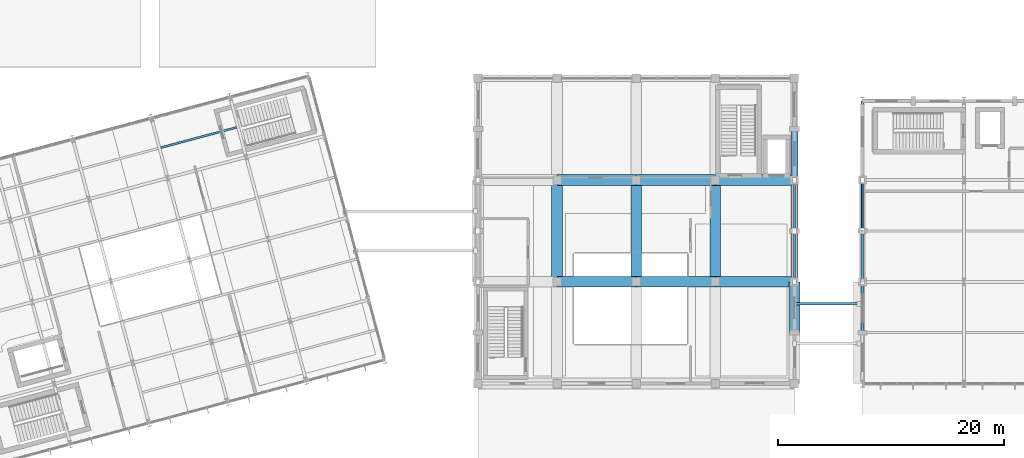
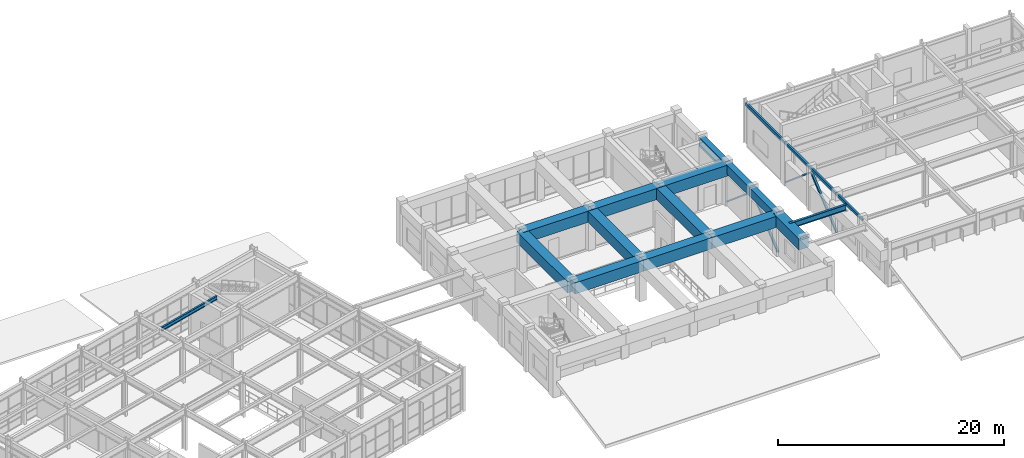
# One storey, part 55 of 104: 19 beams, 4 members.
"""IFC4 building model written with IfcOpenShell, lengths in metres."""

from ifc_helpers import new_model, si_unit, direction, frame, origin, origin_2d, place, context, subcontext, project, spatial, rectangle, hollow_rectangle, i_section, extrude, material, material_profile, profile_set, type_object, element, save


model = new_model("IFC4")

# Units and contexts
model_context = context("Model", 3, precision=1e-05, world=origin(), true_north=direction((0.0, 1.0)))
body_context = subcontext(model_context, "Body", "Model", "MODEL_VIEW")
ifc_project = project(units=[si_unit("LENGTHUNIT", "METRE"), si_unit("AREAUNIT", "SQUARE_METRE"), si_unit("VOLUMEUNIT", "CUBIC_METRE"), si_unit("PLANEANGLEUNIT", "RADIAN"), si_unit("MASSUNIT", "GRAM", prefix="KILO")], contexts=[model_context])

# Site, building, storey
site_placement = place(None, origin())
site = spatial("IfcSite", under=ifc_project, at=site_placement, CompositionType="ELEMENT")
building_placement = place(site_placement, origin())
building = spatial("IfcBuilding", under=site, at=building_placement, Name="Ventoquebrada Cableway Terminal", CompositionType="ELEMENT")
storey_placement = place(building_placement, frame((0.0, 0.0, 4.800048828125)))
storey = spatial("IfcBuildingStorey", under=building, at=storey_placement, Name="L01", CompositionType="ELEMENT", Elevation=4.800048828125)

# Beams
ifc_material_1 = material(Name="Concrete C40/50", Category="concrete")
ifc_material_profile_1 = material_profile(ifc_material_1, rectangle(XDim=0.60009765625, YDim=0.949951171875, at=origin_2d()), Name="RC-BM-600X950")
ifc_profile_set_1 = profile_set([ifc_material_profile_1], Name="Concrete C40/50")
beam_type_1 = type_object("IfcBeamType", Name="BM-RC05", PredefinedType="BEAM", material=ifc_profile_set_1)
for number, where, z_axis, x_axis, name in (
    (1, (123.0, 86.0, 3.974853515625), (0.0, 1.0, 0.0), (-1.0, 0.0, 0.0), "Perimeter spandrel beam FBM-0660"),
    (2, (123.0, 90.5, 3.974853515625), (0.0, 1.0, 0.0), (-1.0, 0.0, 0.0), "Perimeter spandrel beam FBM-0661"),
    (3, (123.0, 95.0, 3.974853515625), (0.0, 1.0, 0.0), (-1.0, 0.0, 0.0), "Perimeter spandrel beam FBM-0662"),
):
    element("IfcBeam", number, at=place(storey_placement, frame(where, z_axis=z_axis, x_axis=x_axis)), inside=storey, type_object=beam_type_1, Name=name, PredefinedType="BEAM", context=body_context, shape_type="SweptSolid", body=[
        extrude(rectangle(XDim=0.60009765625, YDim=0.949951171875, at=origin_2d()), origin(), (0.0, 0.0, 1.0), 4.5),
    ])
ifc_material_profile_2 = material_profile(ifc_material_1, rectangle(XDim=0.949951171875, YDim=1.199951171875, at=origin_2d()), Name="RC-BM-950X1200")
ifc_profile_set_2 = profile_set([ifc_material_profile_2], Name="Concrete C40/50")
beam_type_2 = type_object("IfcBeamType", Name="BM-RC06", PredefinedType="BEAM", material=ifc_profile_set_2)
for number, where, z_axis, x_axis, name in (
    (4, (102.0, 86.0, 3.849853515625), (1.0, 0.0, 0.0), (0.0, 1.0, 0.0), "Primary frame girder FBM-0632"),
    (5, (109.0, 86.0, 3.849853515625), (1.0, 0.0, 0.0), (0.0, 1.0, 0.0), "Primary frame girder FBM-0633"),
    (6, (116.0, 86.0, 3.849853515625), (1.0, 0.0, 0.0), (0.0, 1.0, 0.0), "Primary frame girder FBM-0634"),
    (7, (102.0, 95.0, 3.849853515625), (1.0, 0.0, 0.0), (0.0, 1.0, 0.0), "Primary frame girder FBM-0636"),
    (8, (109.0, 95.0, 3.849853515625), (1.0, 0.0, 0.0), (0.0, 1.0, 0.0), "Primary frame girder FBM-0637"),
    (9, (116.0, 95.0, 3.849853515625), (1.0, 0.0, 0.0), (0.0, 1.0, 0.0), "Primary frame girder FBM-0638"),
):
    element("IfcBeam", number, at=place(storey_placement, frame(where, z_axis=z_axis, x_axis=x_axis)), inside=storey, type_object=beam_type_2, Name=name, PredefinedType="BEAM", context=body_context, shape_type="SweptSolid", body=[
        extrude(rectangle(XDim=0.949951171875, YDim=1.199951171875, at=origin_2d()), origin(), (0.0, 0.0, 1.0), 7.0),
    ])
for number, where, z_axis, x_axis, name in (
    (10, (102.0, 86.0, 3.849853515625), (0.0, 1.0, 0.0), (-1.0, 0.0, 0.0), "Primary frame girder FBM-0650"),
    (11, (109.0, 86.0, 3.849853515625), (0.0, 1.0, 0.0), (-1.0, 0.0, 0.0), "Primary frame girder FBM-0653"),
    (12, (116.0, 86.0, 3.849853515625), (0.0, 1.0, 0.0), (-1.0, 0.0, 0.0), "Primary frame girder FBM-0656"),
):
    element("IfcBeam", number, at=place(storey_placement, frame(where, z_axis=z_axis, x_axis=x_axis)), inside=storey, type_object=beam_type_2, Name=name, PredefinedType="BEAM", context=body_context, shape_type="SweptSolid", body=[
        extrude(rectangle(XDim=0.949951171875, YDim=1.199951171875, at=origin_2d()), origin(), (0.0, 0.0, 1.0), 9.0),
    ])
beam_1_placement = place(storey_placement, frame((123.0, 81.5, 3.849853515625), z_axis=(0.0, 1.0, 0.0), x_axis=(-1.0, 0.0, 0.0)))
element("IfcBeam", 13, at=beam_1_placement, inside=storey, type_object=beam_type_2, Name="Perimeter spandrel beam FBM-0659", PredefinedType="BEAM", context=body_context, shape_type="SweptSolid", body=[
    extrude(rectangle(XDim=0.949951171875, YDim=1.199951171875, at=origin_2d()), origin(), (0.0, 0.0, 1.0), 4.5),
])
ifc_material_2 = material(Name="Steel ASTM A992 Grade 50", Category="steel")
ifc_material_profile_3 = material_profile(ifc_material_2, i_section(OverallWidth=0.22900390625, OverallDepth=0.612060546875, WebThickness=0.011962890625, FlangeThickness=0.01953125, at=origin_2d()), Name="W24X84")
ifc_profile_set_3 = profile_set([ifc_material_profile_3], Name="Steel ASTM A992 Grade 50")
beam_type_3 = type_object("IfcBeamType", Name="BM-ST02", PredefinedType="BEAM", material=ifc_profile_set_3)
beam_2_placement = place(storey_placement, frame((123.0, 84.050048828125, 4.1689453125), z_axis=(1.0, 0.0, 0.0), x_axis=(0.0, 1.0, 0.0)))
element("IfcBeam", 14, at=beam_2_placement, inside=storey, type_object=beam_type_3, Name="Link bridge girder LP-4 FBM-1126", PredefinedType="BEAM", context=body_context, shape_type="SweptSolid", body=[
    extrude(i_section(OverallWidth=0.22900390625, OverallDepth=0.612060546875, WebThickness=0.011962890625, FlangeThickness=0.01953125, at=origin_2d()), origin(), (0.0, 0.0, 1.0), 5.77490234375),
])

# Members
ifc_material_3 = material(Name="Steel ASTM A500 Grade C", Category="steel")
ifc_material_profile_4 = material_profile(ifc_material_3, hollow_rectangle(XDim=0.199951171875, YDim=0.199951171875, WallThickness=0.010009765625, at=origin_2d()), Name="HSS200X200X10")
ifc_profile_set_4 = profile_set([ifc_material_profile_4], Name="Steel ASTM A500 Grade C")
member_type_1 = type_object("IfcMemberType", Name="BRC-FR01", PredefinedType="BRACE", material=ifc_profile_set_4)
for number, where, z_axis, x_axis, name in (
    (15, (129.0, 86.0, 0.14990234375), (0.0, 0.764025829276, 0.645185657155), (-1.0, 0.0, 0.0), "Concentric lateral chevron brace BR-0529"),
    (16, (123.0, 86.0, 0.14990234375), (0.0, 0.764025829276, 0.645185657155), (-1.0, 0.0, 0.0), "Concentric lateral chevron brace BR-0541"),
):
    element("IfcMember", number, at=place(storey_placement, frame(where, z_axis=z_axis, x_axis=x_axis)), inside=storey, type_object=member_type_1, Name=name, PredefinedType="BRACE", context=body_context, shape_type="SweptSolid", body=[
        extrude(hollow_rectangle(XDim=0.199951171875, YDim=0.199951171875, WallThickness=0.010009765625, at=origin_2d()), origin(), (0.0, 0.0, 1.0), 5.889892578125),
    ])
ifc_material_profile_5 = material_profile(ifc_material_3, hollow_rectangle(XDim=0.14990234375, YDim=0.14990234375, WallThickness=0.008056640625, at=origin_2d()), Name="HSS150X150X8")
ifc_profile_set_5 = profile_set([ifc_material_profile_5], Name="Steel ASTM A500 Grade C")
member_type_2 = type_object("IfcMemberType", Name="BRC-FR02", PredefinedType="BRACE", material=ifc_profile_set_5)
for number, where, z_axis, x_axis, name in (
    (17, (129.0, 95.0, 0.14990234375), (0.0, -0.764025829276, 0.645185657155), (1.0, 0.0, 0.0), "Concentric lateral chevron brace BR-0530"),
    (18, (123.0, 95.0, 0.14990234375), (0.0, -0.764025829276, 0.645185657155), (1.0, 0.0, 0.0), "Concentric lateral chevron brace BR-0542"),
):
    element("IfcMember", number, at=place(storey_placement, frame(where, z_axis=z_axis, x_axis=x_axis)), inside=storey, type_object=member_type_2, Name=name, PredefinedType="BRACE", context=body_context, shape_type="SweptSolid", body=[
        extrude(hollow_rectangle(XDim=0.14990234375, YDim=0.14990234375, WallThickness=0.008056640625, at=origin_2d()), origin(), (0.0, 0.0, 1.0), 5.889892578125),
    ])

# Beams
ifc_material_profile_6 = material_profile(ifc_material_2, i_section(OverallWidth=0.177978515625, OverallDepth=0.406005859375, WebThickness=0.0078125, FlangeThickness=0.0126953125, at=origin_2d()), Name="W16X40")
ifc_profile_set_6 = profile_set([ifc_material_profile_6], Name="Steel ASTM A992 Grade 50")
beam_type_4 = type_object("IfcBeamType", Name="JST-ST06", PredefinedType="JOIST", material=ifc_profile_set_6)
beam_3_placement = place(storey_placement, frame((66.947021484375, 97.864990234375, 4.27197265625), z_axis=(0.96591039222, 0.258876638963, 0.0), x_axis=(-0.258876638963, 0.96591039222, 0.0)))
element("IfcBeam", 19, at=beam_3_placement, inside=storey, type_object=beam_type_4, Name="Splayed deck joist FBM-1077", PredefinedType="JOIST", context=body_context, shape_type="SweptSolid", body=[
    extrude(i_section(OverallWidth=0.177978515625, OverallDepth=0.406005859375, WebThickness=0.0078125, FlangeThickness=0.0126953125, at=origin_2d()), origin(), (0.0, 0.0, 1.0), 6.94580078125),
])
ifc_material_profile_7 = material_profile(ifc_material_3, hollow_rectangle(XDim=0.199951171875, YDim=0.300048828125, WallThickness=0.012451171875, at=origin_2d()), Name="RHS300X200X12.5")
ifc_profile_set_7 = profile_set([ifc_material_profile_7], Name="Steel ASTM A500 Grade C")
beam_type_5 = type_object("IfcBeamType", Name="SP-ST02", PredefinedType="SPANDREL", material=ifc_profile_set_7)
for number, where, z_axis, x_axis, name in (
    (20, (129.0, 81.5, 4.324951171875), (0.0, 1.0, 0.0), (-1.0, 0.0, 0.0), "Perimeter spandrel beam FBM-0843"),
    (21, (129.0, 86.0, 4.324951171875), (0.0, 1.0, 0.0), (-1.0, 0.0, 0.0), "Perimeter spandrel beam FBM-0844"),
    (22, (129.0, 90.5, 4.324951171875), (0.0, 1.0, 0.0), (-1.0, 0.0, 0.0), "Perimeter spandrel beam FBM-0845"),
):
    element("IfcBeam", number, at=place(storey_placement, frame(where, z_axis=z_axis, x_axis=x_axis)), inside=storey, type_object=beam_type_5, Name=name, PredefinedType="SPANDREL", context=body_context, shape_type="SweptSolid", body=[
        extrude(hollow_rectangle(XDim=0.199951171875, YDim=0.300048828125, WallThickness=0.012451171875, at=origin_2d()), origin(), (0.0, 0.0, 1.0), 4.5),
    ])
beam_4_placement = place(storey_placement, frame((129.0, 95.0, 4.324951171875), z_axis=(0.0, 1.0, 0.0), x_axis=(-1.0, 0.0, 0.0)))
element("IfcBeam", 23, at=beam_4_placement, inside=storey, type_object=beam_type_5, Name="Perimeter spandrel beam FBM-0846", PredefinedType="SPANDREL", context=body_context, shape_type="SweptSolid", body=[
    extrude(hollow_rectangle(XDim=0.199951171875, YDim=0.300048828125, WallThickness=0.012451171875, at=origin_2d()), origin(), (0.0, 0.0, 1.0), 7.0),
])

save(model, "model.ifc")
